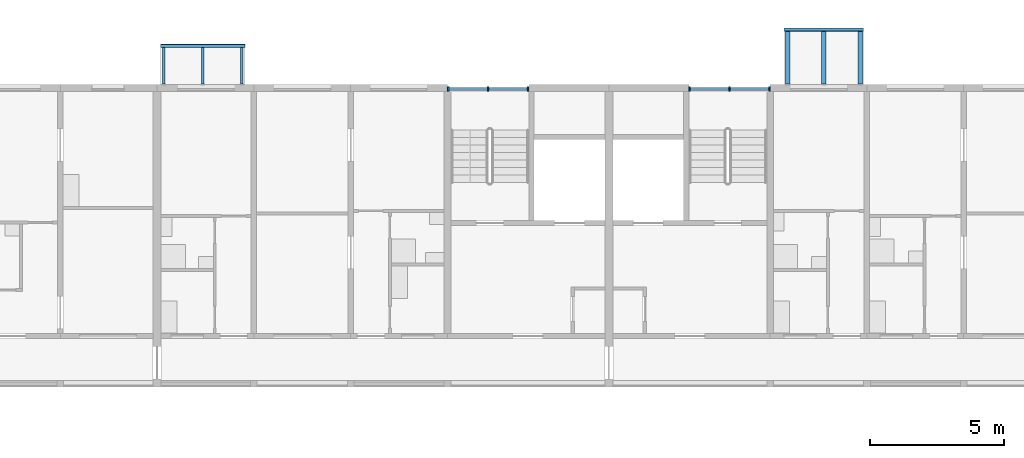
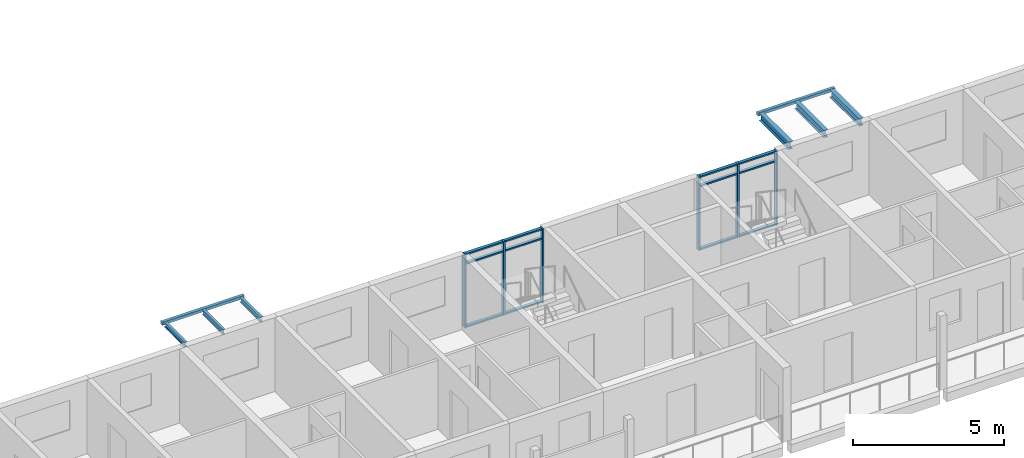
# One storey, part 12 of 100: 18 members, 8 beams, 2 elements without a shape of their own.
"""IFC4 building model written with IfcOpenShell, lengths in metres."""

from ifc_helpers import new_model, si_unit, direction, frame, origin, origin_2d, place, context, subcontext, project, spatial, rectangle, hollow_rectangle, i_section, extrude, material, material_profile, profile_set, type_object, element, aggregate, save


model = new_model("IFC4")

# Units and contexts
model_context = context("Model", 3, precision=1e-05, world=origin(), true_north=direction((0.0, 1.0)))
body_context = subcontext(model_context, "Body", "Model", "MODEL_VIEW")
ifc_project = project(units=[si_unit("LENGTHUNIT", "METRE"), si_unit("AREAUNIT", "SQUARE_METRE"), si_unit("VOLUMEUNIT", "CUBIC_METRE"), si_unit("PLANEANGLEUNIT", "RADIAN"), si_unit("MASSUNIT", "GRAM", prefix="KILO")], contexts=[model_context])

# Site, building, storey
site_placement = place(None, origin())
site = spatial("IfcSite", under=ifc_project, at=site_placement, CompositionType="ELEMENT")
building_placement = place(site_placement, origin())
building = spatial("IfcBuilding", under=site, at=building_placement, Name="Ridgestep Commons", CompositionType="ELEMENT")
storey_placement = place(building_placement, frame((0.0, 0.0, 9.0)))
storey = spatial("IfcBuildingStorey", under=building, at=storey_placement, Name="L03", CompositionType="ELEMENT", Elevation=9.0)

# Curtain wall, members
ifc_material_1 = material(Name="Aluminium 6063-T6 and glass", Category="aluminium")
curtain_wall_type = type_object("IfcCurtainWallType", Name="Curtain wall stair strip", PredefinedType="NOTDEFINED", material=ifc_material_1)
curtain_wall_1_placement = place(storey_placement, origin())
curtain_wall_1 = element("IfcCurtainWall", 1, at=curtain_wall_1_placement, inside=storey, type_object=curtain_wall_type, Name="Curtain wall B4C level 03", PredefinedType="NOTDEFINED")
ifc_material_2 = material(Name="Aluminium 6063-T6", Category="aluminium")
ifc_material_profile_1 = material_profile(ifc_material_2, rectangle(XDim=0.159912109375, YDim=0.06005859375, at=origin_2d()), Name="Mullion 60 x 160")
ifc_profile_set_1 = profile_set([ifc_material_profile_1], Name="Aluminium 6063-T6")
member_type_1 = type_object("IfcMemberType", Name="Mullion 60 x 160", PredefinedType="MULLION", material=ifc_profile_set_1)
member_1_placement = place(storey_placement, frame((73.22998046875, 77.080078125, 0.0), z_axis=(0.0, 0.0, 1.0), x_axis=(0.0, 1.0, 0.0)))
member_1 = element("IfcMember", 2, at=member_1_placement, type_object=member_type_1, Name="CW1 mullion 1", PredefinedType="MULLION", context=body_context, shape_type="SweptSolid", body=[
    extrude(rectangle(XDim=0.159912109375, YDim=0.06005859375, at=origin_2d()), origin(), (0.0, 0.0, 1.0), 3.0),
])
member_2_placement = place(storey_placement, frame((74.71240234375, 77.080078125, 0.0), z_axis=(0.0, 0.0, 1.0), x_axis=(0.0, 1.0, 0.0)))
member_2 = element("IfcMember", 3, at=member_2_placement, type_object=member_type_1, Name="CW1 mullion 2", PredefinedType="MULLION", context=body_context, shape_type="SweptSolid", body=[
    extrude(rectangle(XDim=0.159912109375, YDim=0.06005859375, at=origin_2d()), origin(), (0.0, 0.0, 1.0), 3.0),
])
member_3_placement = place(storey_placement, frame((76.195068359375, 77.080078125, 0.0), z_axis=(0.0, 0.0, 1.0), x_axis=(0.0, 1.0, 0.0)))
member_3 = element("IfcMember", 4, at=member_3_placement, type_object=member_type_1, Name="CW1 mullion 3", PredefinedType="MULLION", context=body_context, shape_type="SweptSolid", body=[
    extrude(rectangle(XDim=0.159912109375, YDim=0.06005859375, at=origin_2d()), origin(), (0.0, 0.0, 1.0), 3.0),
])

curtain_wall_2_placement = place(storey_placement, origin())
curtain_wall_2 = element("IfcCurtainWall", 5, at=curtain_wall_2_placement, inside=storey, type_object=curtain_wall_type, Name="Curtain wall B5C level 03", PredefinedType="NOTDEFINED")
member_4_placement = place(storey_placement, frame((82.205078125, 77.080078125, 0.0), z_axis=(0.0, 0.0, 1.0), x_axis=(0.0, 1.0, 0.0)))
member_4 = element("IfcMember", 6, at=member_4_placement, type_object=member_type_1, Name="CW1 mullion 1", PredefinedType="MULLION", context=body_context, shape_type="SweptSolid", body=[
    extrude(rectangle(XDim=0.159912109375, YDim=0.06005859375, at=origin_2d()), origin(), (0.0, 0.0, 1.0), 3.0),
])
member_5_placement = place(storey_placement, frame((83.6875, 77.080078125, 0.0), z_axis=(0.0, 0.0, 1.0), x_axis=(0.0, 1.0, 0.0)))
member_5 = element("IfcMember", 7, at=member_5_placement, type_object=member_type_1, Name="CW1 mullion 2", PredefinedType="MULLION", context=body_context, shape_type="SweptSolid", body=[
    extrude(rectangle(XDim=0.159912109375, YDim=0.06005859375, at=origin_2d()), origin(), (0.0, 0.0, 1.0), 3.0),
])
member_6_placement = place(storey_placement, frame((85.169921875, 77.080078125, 0.0), z_axis=(0.0, 0.0, 1.0), x_axis=(0.0, 1.0, 0.0)))
member_6 = element("IfcMember", 8, at=member_6_placement, type_object=member_type_1, Name="CW1 mullion 3", PredefinedType="MULLION", context=body_context, shape_type="SweptSolid", body=[
    extrude(rectangle(XDim=0.159912109375, YDim=0.06005859375, at=origin_2d()), origin(), (0.0, 0.0, 1.0), 3.0),
])

# Member
ifc_material_3 = material(Name="Aluminium 6063-T6", Category="aluminium")
ifc_material_profile_2 = material_profile(ifc_material_3, rectangle(XDim=0.1201171875, YDim=0.06005859375, at=origin_2d()), Name="Transom 60 x 120")
ifc_profile_set_2 = profile_set([ifc_material_profile_2], Name="Aluminium 6063-T6")
member_type_2 = type_object("IfcMemberType", Name="Transom 60 x 120", PredefinedType="USERDEFINED", material=ifc_profile_set_2)
member_7_placement = place(storey_placement, frame((73.260009765625, 77.080078125, 0.030029296875), z_axis=(1.0, 0.0, 0.0), x_axis=(0.0, 1.0, 0.0)))
member_7 = element("IfcMember", 9, at=member_7_placement, type_object=member_type_2, Name="CW1 transom 1.1", ObjectType="TRANSOM", PredefinedType="USERDEFINED", context=body_context, shape_type="SweptSolid", body=[
    extrude(rectangle(XDim=0.1201171875, YDim=0.06005859375, at=origin_2d()), origin(), (0.0, 0.0, 1.0), 1.422607421875),
])

member_8_placement = place(storey_placement, frame((73.260009765625, 77.080078125, 2.590087890625), z_axis=(1.0, 0.0, 0.0), x_axis=(0.0, 1.0, 0.0)))
member_8 = element("IfcMember", 10, at=member_8_placement, type_object=member_type_2, Name="CW1 transom 1.2", ObjectType="TRANSOM", PredefinedType="USERDEFINED", context=body_context, shape_type="SweptSolid", body=[
    extrude(rectangle(XDim=0.1201171875, YDim=0.06005859375, at=origin_2d()), origin(), (0.0, 0.0, 1.0), 1.422607421875),
])

member_9_placement = place(storey_placement, frame((73.260009765625, 77.080078125, 2.969970703125), z_axis=(1.0, 0.0, 0.0), x_axis=(0.0, 1.0, 0.0)))
member_9 = element("IfcMember", 11, at=member_9_placement, type_object=member_type_2, Name="CW1 transom 1.3", ObjectType="TRANSOM", PredefinedType="USERDEFINED", context=body_context, shape_type="SweptSolid", body=[
    extrude(rectangle(XDim=0.1201171875, YDim=0.06005859375, at=origin_2d()), origin(), (0.0, 0.0, 1.0), 1.422607421875),
])

member_10_placement = place(storey_placement, frame((74.742431640625, 77.080078125, 0.030029296875), z_axis=(1.0, 0.0, 0.0), x_axis=(0.0, 1.0, 0.0)))
member_10 = element("IfcMember", 12, at=member_10_placement, type_object=member_type_2, Name="CW1 transom 2.1", ObjectType="TRANSOM", PredefinedType="USERDEFINED", context=body_context, shape_type="SweptSolid", body=[
    extrude(rectangle(XDim=0.1201171875, YDim=0.06005859375, at=origin_2d()), origin(), (0.0, 0.0, 1.0), 1.422607421875),
])

member_11_placement = place(storey_placement, frame((74.742431640625, 77.080078125, 2.590087890625), z_axis=(1.0, 0.0, 0.0), x_axis=(0.0, 1.0, 0.0)))
member_11 = element("IfcMember", 13, at=member_11_placement, type_object=member_type_2, Name="CW1 transom 2.2", ObjectType="TRANSOM", PredefinedType="USERDEFINED", context=body_context, shape_type="SweptSolid", body=[
    extrude(rectangle(XDim=0.1201171875, YDim=0.06005859375, at=origin_2d()), origin(), (0.0, 0.0, 1.0), 1.422607421875),
])

member_12_placement = place(storey_placement, frame((74.742431640625, 77.080078125, 2.969970703125), z_axis=(1.0, 0.0, 0.0), x_axis=(0.0, 1.0, 0.0)))
member_12 = element("IfcMember", 14, at=member_12_placement, type_object=member_type_2, Name="CW1 transom 2.3", ObjectType="TRANSOM", PredefinedType="USERDEFINED", context=body_context, shape_type="SweptSolid", body=[
    extrude(rectangle(XDim=0.1201171875, YDim=0.06005859375, at=origin_2d()), origin(), (0.0, 0.0, 1.0), 1.422607421875),
])

aggregate(curtain_wall_1, [member_1, member_2, member_3, member_7, member_8, member_9, member_10, member_11, member_12])

member_13_placement = place(storey_placement, frame((82.235107421875, 77.080078125, 0.030029296875), z_axis=(1.0, 0.0, 0.0), x_axis=(0.0, 1.0, 0.0)))
member_13 = element("IfcMember", 15, at=member_13_placement, type_object=member_type_2, Name="CW1 transom 1.1", ObjectType="TRANSOM", PredefinedType="USERDEFINED", context=body_context, shape_type="SweptSolid", body=[
    extrude(rectangle(XDim=0.1201171875, YDim=0.06005859375, at=origin_2d()), origin(), (0.0, 0.0, 1.0), 1.42236328125),
])

member_14_placement = place(storey_placement, frame((82.235107421875, 77.080078125, 2.590087890625), z_axis=(1.0, 0.0, 0.0), x_axis=(0.0, 1.0, 0.0)))
member_14 = element("IfcMember", 16, at=member_14_placement, type_object=member_type_2, Name="CW1 transom 1.2", ObjectType="TRANSOM", PredefinedType="USERDEFINED", context=body_context, shape_type="SweptSolid", body=[
    extrude(rectangle(XDim=0.1201171875, YDim=0.06005859375, at=origin_2d()), origin(), (0.0, 0.0, 1.0), 1.42236328125),
])

member_15_placement = place(storey_placement, frame((82.235107421875, 77.080078125, 2.969970703125), z_axis=(1.0, 0.0, 0.0), x_axis=(0.0, 1.0, 0.0)))
member_15 = element("IfcMember", 17, at=member_15_placement, type_object=member_type_2, Name="CW1 transom 1.3", ObjectType="TRANSOM", PredefinedType="USERDEFINED", context=body_context, shape_type="SweptSolid", body=[
    extrude(rectangle(XDim=0.1201171875, YDim=0.06005859375, at=origin_2d()), origin(), (0.0, 0.0, 1.0), 1.42236328125),
])

member_16_placement = place(storey_placement, frame((83.717529296875, 77.080078125, 0.030029296875), z_axis=(1.0, 0.0, 0.0), x_axis=(0.0, 1.0, 0.0)))
member_16 = element("IfcMember", 18, at=member_16_placement, type_object=member_type_2, Name="CW1 transom 2.1", ObjectType="TRANSOM", PredefinedType="USERDEFINED", context=body_context, shape_type="SweptSolid", body=[
    extrude(rectangle(XDim=0.1201171875, YDim=0.06005859375, at=origin_2d()), origin(), (0.0, 0.0, 1.0), 1.42236328125),
])

member_17_placement = place(storey_placement, frame((83.717529296875, 77.080078125, 2.590087890625), z_axis=(1.0, 0.0, 0.0), x_axis=(0.0, 1.0, 0.0)))
member_17 = element("IfcMember", 19, at=member_17_placement, type_object=member_type_2, Name="CW1 transom 2.2", ObjectType="TRANSOM", PredefinedType="USERDEFINED", context=body_context, shape_type="SweptSolid", body=[
    extrude(rectangle(XDim=0.1201171875, YDim=0.06005859375, at=origin_2d()), origin(), (0.0, 0.0, 1.0), 1.42236328125),
])

member_18_placement = place(storey_placement, frame((83.717529296875, 77.080078125, 2.969970703125), z_axis=(1.0, 0.0, 0.0), x_axis=(0.0, 1.0, 0.0)))
member_18 = element("IfcMember", 20, at=member_18_placement, type_object=member_type_2, Name="CW1 transom 2.3", ObjectType="TRANSOM", PredefinedType="USERDEFINED", context=body_context, shape_type="SweptSolid", body=[
    extrude(rectangle(XDim=0.1201171875, YDim=0.06005859375, at=origin_2d()), origin(), (0.0, 0.0, 1.0), 1.42236328125),
])

aggregate(curtain_wall_2, [member_4, member_5, member_6, member_13, member_14, member_15, member_16, member_17, member_18])

# Beams
ifc_material_4 = material(Name="Weathering steel S355J2W", Category="steel")
ifc_material_profile_3 = material_profile(ifc_material_4, i_section(OverallWidth=0.101806640625, OverallDepth=0.203125, WebThickness=0.00537109375, FlangeThickness=0.00927734375, FilletRadius=0.007568359375, at=origin_2d()), Name="UB 203x102x23")
ifc_profile_set_3 = profile_set([ifc_material_profile_3], Name="Weathering steel S355J2W")
beam_type_1 = type_object("IfcBeamType", Name="Tray arm UB 203x102x23", PredefinedType="BEAM", material=ifc_profile_set_3)
for number, where, z_axis, x_axis, name in (
    (21, (62.64990234375, 77.264892578125, 2.888427734375), (0.0, 1.0, 0.0), (-1.0, 0.0, 0.0), "Tray arm B4T1-04.1"),
    (22, (64.10009765625, 77.264892578125, 2.888427734375), (0.0, 1.0, 0.0), (-1.0, 0.0, 0.0), "Tray arm B4T1-04.2"),
    (23, (65.550048828125, 77.264892578125, 2.888427734375), (0.0, 1.0, 0.0), (-1.0, 0.0, 0.0), "Tray arm B4T1-04.3"),
):
    element("IfcBeam", number, at=place(storey_placement, frame(where, z_axis=z_axis, x_axis=x_axis)), inside=storey, type_object=beam_type_1, Name=name, PredefinedType="BEAM", context=body_context, shape_type="SweptSolid", body=[
        extrude(i_section(OverallWidth=0.101806640625, OverallDepth=0.203125, WebThickness=0.00537109375, FlangeThickness=0.00927734375, FilletRadius=0.007568359375, at=origin_2d()), origin(), (0.0, 0.0, 1.0), 1.364990234375),
    ])
ifc_material_5 = material(Name="Weathering steel S355J2W", Category="steel")
ifc_material_profile_4 = material_profile(ifc_material_5, i_section(OverallWidth=0.1650390625, OverallDepth=0.303466796875, WebThickness=0.006103515625, FlangeThickness=0.01025390625, FilletRadius=0.0087890625, at=origin_2d()), Name="UB 305x165x40")
ifc_profile_set_4 = profile_set([ifc_material_profile_4], Name="Weathering steel S355J2W")
beam_type_2 = type_object("IfcBeamType", Name="Tray arm UB 305x165x40", PredefinedType="BEAM", material=ifc_profile_set_4)
for number, where, z_axis, x_axis, name in (
    (24, (85.85009765625, 77.264892578125, 2.83837890625), (0.0, 1.0, 0.0), (-1.0, 0.0, 0.0), "Tray arm B5T3-04.1"),
    (25, (87.199951171875, 77.264892578125, 2.83837890625), (0.0, 1.0, 0.0), (-1.0, 0.0, 0.0), "Tray arm B5T3-04.2"),
    (26, (88.550048828125, 77.264892578125, 2.83837890625), (0.0, 1.0, 0.0), (-1.0, 0.0, 0.0), "Tray arm B5T3-04.3"),
):
    element("IfcBeam", number, at=place(storey_placement, frame(where, z_axis=z_axis, x_axis=x_axis)), inside=storey, type_object=beam_type_2, Name=name, PredefinedType="BEAM", context=body_context, shape_type="SweptSolid", body=[
        extrude(i_section(OverallWidth=0.1650390625, OverallDepth=0.303466796875, WebThickness=0.006103515625, FlangeThickness=0.01025390625, FilletRadius=0.0087890625, at=origin_2d()), origin(), (0.0, 0.0, 1.0), 1.965087890625),
    ])
ifc_material_6 = material(Name="Weathering steel S355J2W", Category="steel")
ifc_material_profile_5 = material_profile(ifc_material_6, hollow_rectangle(XDim=0.1201171875, YDim=0.1201171875, WallThickness=0.00634765625, InnerFilletRadius=0.00634765625, OuterFilletRadius=0.009521484375, at=origin_2d()), Name="SHS 120x120x6.3")
ifc_profile_set_5 = profile_set([ifc_material_profile_5], Name="Weathering steel S355J2W")
beam_type_3 = type_object("IfcBeamType", Name="Tray edge member SHS 120x120x6.3", PredefinedType="BEAM", material=ifc_profile_set_5)
beam_1_placement = place(storey_placement, frame((62.530029296875, 78.68994140625, 2.929931640625), z_axis=(1.0, 0.0, 0.0), x_axis=(0.0, 0.0, 1.0)))
element("IfcBeam", 27, at=beam_1_placement, inside=storey, type_object=beam_type_3, Name="Tray edge member B4T1-04", PredefinedType="BEAM", context=body_context, shape_type="SweptSolid", body=[
    extrude(hollow_rectangle(XDim=0.1201171875, YDim=0.1201171875, WallThickness=0.00634765625, InnerFilletRadius=0.00634765625, OuterFilletRadius=0.009521484375, at=origin_2d()), origin(), (0.0, 0.0, 1.0), 3.139892578125),
])
beam_2_placement = place(storey_placement, frame((85.72998046875, 79.2900390625, 2.929931640625), z_axis=(1.0, 0.0, 0.0), x_axis=(0.0, 0.0, 1.0)))
element("IfcBeam", 28, at=beam_2_placement, inside=storey, type_object=beam_type_3, Name="Tray edge member B5T3-04", PredefinedType="BEAM", context=body_context, shape_type="SweptSolid", body=[
    extrude(hollow_rectangle(XDim=0.1201171875, YDim=0.1201171875, WallThickness=0.00634765625, InnerFilletRadius=0.00634765625, OuterFilletRadius=0.009521484375, at=origin_2d()), origin(), (0.0, 0.0, 1.0), 2.93994140625),
])

save(model, "model.ifc")
